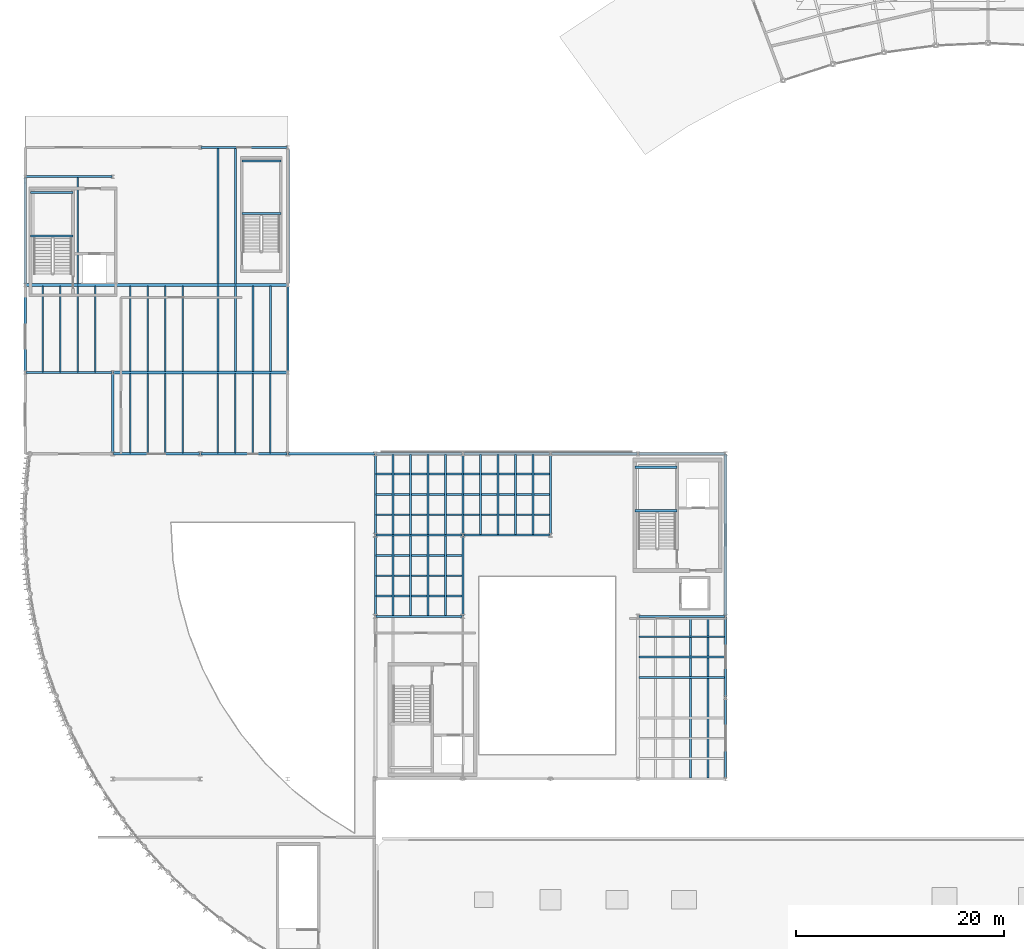
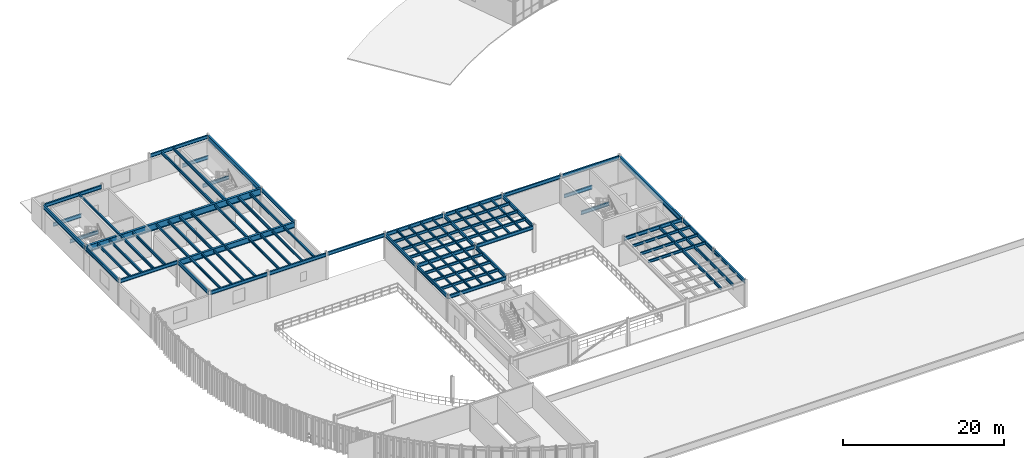
# One storey, part 21 of 54: 84 beams.
"""IFC4 building model written with IfcOpenShell, lengths in metres."""

from ifc_helpers import new_model, si_unit, direction, frame, origin, origin_2d, place, context, subcontext, project, spatial, i_section, extrude, material, material_profile, profile_set, type_object, element, save


model = new_model("IFC4")

# Units and contexts
model_context = context("Model", 3, precision=1e-05, world=origin(), true_north=direction((0.0, 1.0)))
body_context = subcontext(model_context, "Body", "Model", "MODEL_VIEW")
ifc_project = project(units=[si_unit("LENGTHUNIT", "METRE"), si_unit("AREAUNIT", "SQUARE_METRE"), si_unit("VOLUMEUNIT", "CUBIC_METRE"), si_unit("PLANEANGLEUNIT", "RADIAN"), si_unit("MASSUNIT", "GRAM", prefix="KILO")], contexts=[model_context])

# Site, building, storey
site_placement = place(None, origin())
site = spatial("IfcSite", under=ifc_project, at=site_placement, CompositionType="ELEMENT")
building_placement = place(site_placement, origin())
building = spatial("IfcBuilding", under=site, at=building_placement, Name="Selat Folded Stagehouse", CompositionType="ELEMENT")
storey_placement = place(building_placement, frame((0.0, 0.0, 15.0)))
storey = spatial("IfcBuildingStorey", under=building, at=storey_placement, Name="L03", CompositionType="ELEMENT", Elevation=15.0)

# Beams
ifc_material_1 = material(Name="Steel S355", Category="steel")
ifc_material_profile_1 = material_profile(ifc_material_1, i_section(OverallWidth=0.210693359375, OverallDepth=0.53955078125, WebThickness=0.01171875, FlangeThickness=0.018798828125, FilletRadius=0.0126953125, at=origin_2d()), Name="UKB 533x210x109")
ifc_profile_set_1 = profile_set([ifc_material_profile_1], Name="Steel S355")
beam_type_1 = type_object("IfcBeamType", Name="BM-GIRD-533x210x109", PredefinedType="BEAM", material=ifc_profile_set_1)
beam_1_placement = place(storey_placement, frame((0.0, 62.47705078125, 3.710205078125), z_axis=(0.0, 1.0, 0.0), x_axis=(-1.0, 0.0, 0.0)))
element("IfcBeam", 1, at=beam_1_placement, inside=storey, type_object=beam_type_1, Name="L03 primary y-girder 1289", PredefinedType="BEAM", context=body_context, shape_type="SweptSolid", body=[
    extrude(i_section(OverallWidth=0.210693359375, OverallDepth=0.53955078125, WebThickness=0.01171875, FlangeThickness=0.018798828125, FilletRadius=0.0126953125, at=origin_2d()), origin(), (0.0, 0.0, 1.0), 8.245849609375),
])
beam_2_placement = place(storey_placement, frame((8.39990234375, 54.679931640625, 3.690185546875), z_axis=(0.0, 1.0, 0.0), x_axis=(-1.0, 0.0, 0.0)))
element("IfcBeam", 2, at=beam_2_placement, inside=storey, type_object=beam_type_1, Name="L03 primary y-girder 1291", PredefinedType="BEAM", context=body_context, shape_type="SweptSolid", body=[
    extrude(i_section(OverallWidth=0.210693359375, OverallDepth=0.53955078125, WebThickness=0.01171875, FlangeThickness=0.018798828125, FilletRadius=0.0126953125, at=origin_2d()), origin(), (0.0, 0.0, 1.0), 7.64306640625),
])
beam_3_placement = place(storey_placement, frame((25.199951171875, 62.47705078125, 3.710205078125), z_axis=(0.0, 1.0, 0.0), x_axis=(-1.0, 0.0, 0.0)))
element("IfcBeam", 3, at=beam_3_placement, inside=storey, type_object=beam_type_1, Name="L03 primary y-girder 1292", PredefinedType="BEAM", context=body_context, shape_type="SweptSolid", body=[
    extrude(i_section(OverallWidth=0.210693359375, OverallDepth=0.53955078125, WebThickness=0.01171875, FlangeThickness=0.018798828125, FilletRadius=0.0126953125, at=origin_2d()), origin(), (0.0, 0.0, 1.0), 8.245849609375),
])
beam_4_placement = place(storey_placement, frame((33.60009765625, 39.080078125, 3.730224609375), z_axis=(0.0, 1.0, 0.0), x_axis=(-1.0, 0.0, 0.0)))
element("IfcBeam", 4, at=beam_4_placement, inside=storey, type_object=beam_type_1, Name="L03 primary y-girder 1295", PredefinedType="BEAM", context=body_context, shape_type="SweptSolid", body=[
    extrude(i_section(OverallWidth=0.210693359375, OverallDepth=0.53955078125, WebThickness=0.01171875, FlangeThickness=0.018798828125, FilletRadius=0.0126953125, at=origin_2d()), origin(), (0.0, 0.0, 1.0), 7.639892578125),
])
beam_5_placement = place(storey_placement, frame((33.60009765625, 46.8798828125, 3.730224609375), z_axis=(0.0, 1.0, 0.0), x_axis=(-1.0, 0.0, 0.0)))
element("IfcBeam", 5, at=beam_5_placement, inside=storey, type_object=beam_type_1, Name="L03 primary y-girder 1296", PredefinedType="BEAM", context=body_context, shape_type="SweptSolid", body=[
    extrude(i_section(OverallWidth=0.210693359375, OverallDepth=0.53955078125, WebThickness=0.01171875, FlangeThickness=0.018798828125, FilletRadius=0.0126953125, at=origin_2d()), origin(), (0.0, 0.0, 1.0), 7.64013671875),
])
beam_6_placement = place(storey_placement, frame((42.0, 39.080078125, 3.730224609375), z_axis=(0.0, 1.0, 0.0), x_axis=(-1.0, 0.0, 0.0)))
element("IfcBeam", 6, at=beam_6_placement, inside=storey, type_object=beam_type_1, Name="L03 primary y-girder 1297", PredefinedType="BEAM", context=body_context, shape_type="SweptSolid", body=[
    extrude(i_section(OverallWidth=0.210693359375, OverallDepth=0.53955078125, WebThickness=0.01171875, FlangeThickness=0.018798828125, FilletRadius=0.0126953125, at=origin_2d()), origin(), (0.0, 0.0, 1.0), 7.639892578125),
])
for number, where, z_axis, x_axis, name in (
    (7, (42.0, 46.8798828125, 3.730224609375), (0.0, 1.0, 0.0), (-1.0, 0.0, 0.0), "L03 primary y-girder 1298"),
    (8, (50.39990234375, 46.8798828125, 3.730224609375), (0.0, 1.0, 0.0), (-1.0, 0.0, 0.0), "L03 primary y-girder 1299"),
    (9, (67.199951171875, 23.47998046875, 3.730224609375), (0.0, 1.0, 0.0), (-1.0, 0.0, 0.0), "L03 primary y-girder 1301"),
):
    element("IfcBeam", number, at=place(storey_placement, frame(where, z_axis=z_axis, x_axis=x_axis)), inside=storey, type_object=beam_type_1, Name=name, PredefinedType="BEAM", context=body_context, shape_type="SweptSolid", body=[
        extrude(i_section(OverallWidth=0.210693359375, OverallDepth=0.53955078125, WebThickness=0.01171875, FlangeThickness=0.018798828125, FilletRadius=0.0126953125, at=origin_2d()), origin(), (0.0, 0.0, 1.0), 7.64013671875),
    ])
beam_7_placement = place(storey_placement, frame((67.199951171875, 31.280029296875, 3.730224609375), z_axis=(0.0, 1.0, 0.0), x_axis=(-1.0, 0.0, 0.0)))
element("IfcBeam", 10, at=beam_7_placement, inside=storey, type_object=beam_type_1, Name="L03 primary y-girder 1302", PredefinedType="BEAM", context=body_context, shape_type="SweptSolid", body=[
    extrude(i_section(OverallWidth=0.210693359375, OverallDepth=0.53955078125, WebThickness=0.01171875, FlangeThickness=0.018798828125, FilletRadius=0.0126953125, at=origin_2d()), origin(), (0.0, 0.0, 1.0), 7.639892578125),
])
ifc_material_profile_2 = material_profile(ifc_material_1, i_section(OverallWidth=0.209228515625, OverallDepth=0.533203125, WebThickness=0.010009765625, FlangeThickness=0.015625, FilletRadius=0.0126953125, at=origin_2d()), Name="UKB 533x210x92")
ifc_profile_set_2 = profile_set([ifc_material_profile_2], Name="Steel S355")
beam_type_2 = type_object("IfcBeamType", Name="BM-GIRD-533x210x92", PredefinedType="BEAM", material=ifc_profile_set_2)
beam_8_placement = place(storey_placement, frame((33.679931640625, 39.0, 3.7333984375), z_axis=(1.0, 0.0, 0.0), x_axis=(0.0, 1.0, 0.0)))
element("IfcBeam", 11, at=beam_8_placement, inside=storey, type_object=beam_type_2, Name="L03 primary x-girder 1273", PredefinedType="BEAM", context=body_context, shape_type="SweptSolid", body=[
    extrude(i_section(OverallWidth=0.209228515625, OverallDepth=0.533203125, WebThickness=0.010009765625, FlangeThickness=0.015625, FilletRadius=0.0126953125, at=origin_2d()), origin(), (0.0, 0.0, 1.0), 8.239990234375),
])
beam_9_placement = place(storey_placement, frame((58.8798828125, 39.0, 3.7333984375), z_axis=(1.0, 0.0, 0.0), x_axis=(0.0, 1.0, 0.0)))
element("IfcBeam", 12, at=beam_9_placement, inside=storey, type_object=beam_type_2, Name="L03 primary x-girder 1274", PredefinedType="BEAM", context=body_context, shape_type="SweptSolid", body=[
    extrude(i_section(OverallWidth=0.209228515625, OverallDepth=0.533203125, WebThickness=0.010009765625, FlangeThickness=0.015625, FilletRadius=0.0126953125, at=origin_2d()), origin(), (0.0, 0.0, 1.0), 8.240234375),
])
for number, where, z_axis, x_axis, name in (
    (13, (33.679931640625, 46.800048828125, 3.7333984375), (1.0, 0.0, 0.0), (0.0, 1.0, 0.0), "L03 primary x-girder 1275"),
    (14, (42.080078125, 46.800048828125, 3.7333984375), (1.0, 0.0, 0.0), (0.0, 1.0, 0.0), "L03 primary x-girder 1276"),
    (15, (8.47998046875, 54.60009765625, 3.693603515625), (1.0, 0.0, 0.0), (0.0, 1.0, 0.0), "L03 primary x-girder 1277"),
):
    element("IfcBeam", number, at=place(storey_placement, frame(where, z_axis=z_axis, x_axis=x_axis)), inside=storey, type_object=beam_type_2, Name=name, PredefinedType="BEAM", context=body_context, shape_type="SweptSolid", body=[
        extrude(i_section(OverallWidth=0.209228515625, OverallDepth=0.533203125, WebThickness=0.010009765625, FlangeThickness=0.015625, FilletRadius=0.0126953125, at=origin_2d()), origin(), (0.0, 0.0, 1.0), 8.239990234375),
    ])
beam_10_placement = place(storey_placement, frame((16.8798828125, 54.60009765625, 3.693603515625), z_axis=(1.0, 0.0, 0.0), x_axis=(0.0, 1.0, 0.0)))
element("IfcBeam", 16, at=beam_10_placement, inside=storey, type_object=beam_type_2, Name="L03 primary x-girder 1278", PredefinedType="BEAM", context=body_context, shape_type="SweptSolid", body=[
    extrude(i_section(OverallWidth=0.209228515625, OverallDepth=0.533203125, WebThickness=0.010009765625, FlangeThickness=0.015625, FilletRadius=0.0126953125, at=origin_2d()), origin(), (0.0, 0.0, 1.0), 8.240234375),
])
for number, where, z_axis, x_axis, name in (
    (17, (25.280029296875, 54.60009765625, 3.7333984375), (1.0, 0.0, 0.0), (0.0, 1.0, 0.0), "L03 primary x-girder 1279"),
    (18, (33.679931640625, 54.60009765625, 3.7333984375), (1.0, 0.0, 0.0), (0.0, 1.0, 0.0), "L03 primary x-girder 1280"),
    (19, (42.080078125, 54.60009765625, 3.7333984375), (1.0, 0.0, 0.0), (0.0, 1.0, 0.0), "L03 primary x-girder 1281"),
    (20, (50.47998046875, 54.60009765625, 3.7333984375), (1.0, 0.0, 0.0), (0.0, 1.0, 0.0), "L03 primary x-girder 1282"),
):
    element("IfcBeam", number, at=place(storey_placement, frame(where, z_axis=z_axis, x_axis=x_axis)), inside=storey, type_object=beam_type_2, Name=name, PredefinedType="BEAM", context=body_context, shape_type="SweptSolid", body=[
        extrude(i_section(OverallWidth=0.209228515625, OverallDepth=0.533203125, WebThickness=0.010009765625, FlangeThickness=0.015625, FilletRadius=0.0126953125, at=origin_2d()), origin(), (0.0, 0.0, 1.0), 8.239990234375),
    ])
beam_11_placement = place(storey_placement, frame((58.8798828125, 54.60009765625, 3.7333984375), z_axis=(1.0, 0.0, 0.0), x_axis=(0.0, 1.0, 0.0)))
element("IfcBeam", 21, at=beam_11_placement, inside=storey, type_object=beam_type_2, Name="L03 primary x-girder 1283", PredefinedType="BEAM", context=body_context, shape_type="SweptSolid", body=[
    extrude(i_section(OverallWidth=0.209228515625, OverallDepth=0.533203125, WebThickness=0.010009765625, FlangeThickness=0.015625, FilletRadius=0.0126953125, at=origin_2d()), origin(), (0.0, 0.0, 1.0), 8.240234375),
])
for number, where, z_axis, x_axis, name in (
    (22, (0.076904296875, 62.39990234375, 3.693603515625), (1.0, 0.0, 0.0), (0.0, 1.0, 0.0), "L03 primary x-girder 1284"),
    (23, (0.076904296875, 81.199951171875, 3.71337890625), (1.0, 0.0, 0.0), (0.0, 1.0, 0.0), "L03 primary x-girder 1287"),
    (24, (16.876953125, 84.0, 3.71337890625), (1.0, 0.0, 0.0), (0.0, 1.0, 0.0), "L03 primary x-girder 1288"),
):
    element("IfcBeam", number, at=place(storey_placement, frame(where, z_axis=z_axis, x_axis=x_axis)), inside=storey, type_object=beam_type_2, Name=name, PredefinedType="BEAM", context=body_context, shape_type="SweptSolid", body=[
        extrude(i_section(OverallWidth=0.209228515625, OverallDepth=0.533203125, WebThickness=0.010009765625, FlangeThickness=0.015625, FilletRadius=0.0126953125, at=origin_2d()), origin(), (0.0, 0.0, 1.0), 8.24609375),
    ])
for number, where, z_axis, x_axis, name in (
    (25, (58.5, 49.1298828125, 1.633544921875), (1.0, 0.0, 0.0), (0.0, 1.0, 0.0), "L03 ST-02 landing support beam 1"),
    (26, (58.5, 53.31005859375, 1.633544921875), (1.0, 0.0, 0.0), (0.0, 1.0, 0.0), "L03 ST-02 landing support beam 2"),
):
    element("IfcBeam", number, at=place(storey_placement, frame(where, z_axis=z_axis, x_axis=x_axis)), inside=storey, type_object=beam_type_2, Name=name, PredefinedType="BEAM", context=body_context, shape_type="SweptSolid", body=[
        extrude(i_section(OverallWidth=0.209228515625, OverallDepth=0.533203125, WebThickness=0.010009765625, FlangeThickness=0.015625, FilletRadius=0.0126953125, at=origin_2d()), origin(), (0.0, 0.0, 1.0), 4.050048828125),
    ])
for number, where, z_axis, x_axis, name in (
    (27, (0.5, 75.510009765625, 1.633544921875), (1.0, 0.0, 0.0), (0.0, 1.0, 0.0), "L03 ST-05 landing support beam 1"),
    (28, (0.5, 79.669921875, 1.633544921875), (1.0, 0.0, 0.0), (0.0, 1.0, 0.0), "L03 ST-05 landing support beam 2"),
):
    element("IfcBeam", number, at=place(storey_placement, frame(where, z_axis=z_axis, x_axis=x_axis)), inside=storey, type_object=beam_type_2, Name=name, PredefinedType="BEAM", context=body_context, shape_type="SweptSolid", body=[
        extrude(i_section(OverallWidth=0.209228515625, OverallDepth=0.533203125, WebThickness=0.010009765625, FlangeThickness=0.015625, FilletRadius=0.0126953125, at=origin_2d()), origin(), (0.0, 0.0, 1.0), 4.080078125),
    ])
for number, where, z_axis, x_axis, name in (
    (29, (20.780029296875, 77.64990234375, 1.633544921875), (1.0, 0.0, 0.0), (0.0, 1.0, 0.0), "L03 ST-07 landing support beam 1"),
    (30, (20.780029296875, 82.699951171875, 1.633544921875), (1.0, 0.0, 0.0), (0.0, 1.0, 0.0), "L03 ST-07 landing support beam 2"),
):
    element("IfcBeam", number, at=place(storey_placement, frame(where, z_axis=z_axis, x_axis=x_axis)), inside=storey, type_object=beam_type_2, Name=name, PredefinedType="BEAM", context=body_context, shape_type="SweptSolid", body=[
        extrude(i_section(OverallWidth=0.209228515625, OverallDepth=0.533203125, WebThickness=0.010009765625, FlangeThickness=0.015625, FilletRadius=0.0126953125, at=origin_2d()), origin(), (0.0, 0.0, 1.0), 3.739990234375),
    ])
ifc_material_profile_3 = material_profile(ifc_material_1, i_section(OverallWidth=0.230224609375, OverallDepth=0.6171875, WebThickness=0.01318359375, FlangeThickness=0.022216796875, FilletRadius=0.0126953125, at=origin_2d()), Name="UKB 610x229x140")
ifc_profile_set_3 = profile_set([ifc_material_profile_3], Name="Steel S355")
beam_type_3 = type_object("IfcBeamType", Name="BM-GIRD-610x229x140", PredefinedType="BEAM", material=ifc_profile_set_3)
beam_12_placement = place(storey_placement, frame((0.0, 70.876953125, 3.67138671875), z_axis=(0.0, 1.0, 0.0), x_axis=(-1.0, 0.0, 0.0)))
element("IfcBeam", 31, at=beam_12_placement, inside=storey, type_object=beam_type_3, Name="L03 primary y-girder 1290", PredefinedType="BEAM", context=body_context, shape_type="SweptSolid", body=[
    extrude(i_section(OverallWidth=0.230224609375, OverallDepth=0.6171875, WebThickness=0.01318359375, FlangeThickness=0.022216796875, FilletRadius=0.0126953125, at=origin_2d()), origin(), (0.0, 0.0, 1.0), 10.24609375),
])
ifc_material_profile_4 = material_profile(ifc_material_1, i_section(OverallWidth=0.26806640625, OverallDepth=0.769775390625, WebThickness=0.015625, FlangeThickness=0.025390625, FilletRadius=0.0166015625, at=origin_2d()), Name="UKB 762x267x197")
ifc_profile_set_4 = profile_set([ifc_material_profile_4], Name="Steel S355")
beam_type_4 = type_object("IfcBeamType", Name="BM-GIRD-762x267x197", PredefinedType="BEAM", material=ifc_profile_set_4)
beam_13_placement = place(storey_placement, frame((25.199951171875, 70.876953125, 3.59521484375), z_axis=(0.0, 1.0, 0.0), x_axis=(-1.0, 0.0, 0.0)))
element("IfcBeam", 32, at=beam_13_placement, inside=storey, type_object=beam_type_4, Name="L03 primary y-girder 1293", PredefinedType="BEAM", context=body_context, shape_type="SweptSolid", body=[
    extrude(i_section(OverallWidth=0.26806640625, OverallDepth=0.769775390625, WebThickness=0.015625, FlangeThickness=0.025390625, FilletRadius=0.0166015625, at=origin_2d()), origin(), (0.0, 0.0, 1.0), 13.046142578125),
])
beam_14_placement = place(storey_placement, frame((67.199951171875, 39.080078125, 3.614990234375), z_axis=(0.0, 1.0, 0.0), x_axis=(-1.0, 0.0, 0.0)))
element("IfcBeam", 33, at=beam_14_placement, inside=storey, type_object=beam_type_4, Name="L03 primary y-girder 1303", PredefinedType="BEAM", context=body_context, shape_type="SweptSolid", body=[
    extrude(i_section(OverallWidth=0.26806640625, OverallDepth=0.769775390625, WebThickness=0.015625, FlangeThickness=0.025390625, FilletRadius=0.0166015625, at=origin_2d()), origin(), (0.0, 0.0, 1.0), 15.43994140625),
])
ifc_material_profile_5 = material_profile(ifc_material_1, i_section(OverallWidth=0.293701171875, OverallDepth=0.850830078125, WebThickness=0.01611328125, FlangeThickness=0.02685546875, FilletRadius=0.017822265625, at=origin_2d()), Name="UKB 838x292x226")
ifc_profile_set_5 = profile_set([ifc_material_profile_5], Name="Steel S355")
beam_type_5 = type_object("IfcBeamType", Name="BM-LONG-838x292x226", PredefinedType="BEAM", material=ifc_profile_set_5)
beam_15_placement = place(storey_placement, frame((8.47705078125, 62.39990234375, 3.534423828125), z_axis=(1.0, 0.0, 0.0), x_axis=(0.0, 1.0, 0.0)))
element("IfcBeam", 34, at=beam_15_placement, inside=storey, type_object=beam_type_5, Name="L03 primary x-girder 1285", PredefinedType="BEAM", context=body_context, shape_type="SweptSolid", body=[
    extrude(i_section(OverallWidth=0.293701171875, OverallDepth=0.850830078125, WebThickness=0.01611328125, FlangeThickness=0.02685546875, FilletRadius=0.017822265625, at=origin_2d()), origin(), (0.0, 0.0, 1.0), 16.64599609375),
])
ifc_material_2 = material(Name="Steel S460", Category="steel")
ifc_material_profile_6 = material_profile(ifc_material_2, i_section(OverallWidth=0.302001953125, OverallDepth=1.008056640625, WebThickness=0.02099609375, FlangeThickness=0.033935546875, FilletRadius=0.030029296875, at=origin_2d()), Name="UKB 1016x305x349")
ifc_profile_set_6 = profile_set([ifc_material_profile_6], Name="Steel S460")
beam_type_6 = type_object("IfcBeamType", Name="BM-XFER-1016x305x349", PredefinedType="BEAM", material=ifc_profile_set_6)
beam_16_placement = place(storey_placement, frame((0.076904296875, 70.800048828125, 3.47607421875), z_axis=(1.0, 0.0, 0.0), x_axis=(0.0, 1.0, 0.0)))
element("IfcBeam", 35, at=beam_16_placement, inside=storey, type_object=beam_type_6, Name="L03 primary x-girder 1286", PredefinedType="BEAM", context=body_context, shape_type="SweptSolid", body=[
    extrude(i_section(OverallWidth=0.302001953125, OverallDepth=1.008056640625, WebThickness=0.02099609375, FlangeThickness=0.033935546875, FilletRadius=0.030029296875, at=origin_2d()), origin(), (0.0, 0.0, 1.0), 25.046142578125),
])
ifc_material_profile_7 = material_profile(ifc_material_1, i_section(OverallWidth=0.17138671875, OverallDepth=0.35498046875, WebThickness=0.00732421875, FlangeThickness=0.011474609375, FilletRadius=0.01025390625, at=origin_2d()), Name="UKB 356x171x51")
ifc_profile_set_7 = profile_set([ifc_material_profile_7], Name="Steel S355")
beam_type_7 = type_object("IfcBeamType", Name="JST-356x171x51", PredefinedType="JOIST", material=ifc_profile_set_7)
for number, where, z_axis, x_axis, name in (
    (36, (10.080078125, 54.67333984375, 3.782470703125), (0.0, 1.0, 0.0), (-1.0, 0.0, 0.0), "L03 secondary floor joist 1309"),
    (37, (11.760009765625, 54.67333984375, 3.782470703125), (0.0, 1.0, 0.0), (-1.0, 0.0, 0.0), "L03 secondary floor joist 1311"),
    (38, (13.43994140625, 54.67333984375, 3.782470703125), (0.0, 1.0, 0.0), (-1.0, 0.0, 0.0), "L03 secondary floor joist 1313"),
    (39, (15.1201171875, 54.67333984375, 3.782470703125), (0.0, 1.0, 0.0), (-1.0, 0.0, 0.0), "L03 secondary floor joist 1315"),
    (40, (18.47998046875, 54.67333984375, 3.782470703125), (0.0, 1.0, 0.0), (-1.0, 0.0, 0.0), "L03 secondary floor joist 1317"),
    (41, (20.159912109375, 54.67333984375, 3.782470703125), (0.0, 1.0, 0.0), (-1.0, 0.0, 0.0), "L03 secondary floor joist 1320"),
    (42, (21.840087890625, 54.67333984375, 3.782470703125), (0.0, 1.0, 0.0), (-1.0, 0.0, 0.0), "L03 secondary floor joist 1323"),
    (43, (23.52001953125, 54.67333984375, 3.782470703125), (0.0, 1.0, 0.0), (-1.0, 0.0, 0.0), "L03 secondary floor joist 1325"),
):
    element("IfcBeam", number, at=place(storey_placement, frame(where, z_axis=z_axis, x_axis=x_axis)), inside=storey, type_object=beam_type_7, Name=name, PredefinedType="JOIST", context=body_context, shape_type="SweptSolid", body=[
        extrude(i_section(OverallWidth=0.17138671875, OverallDepth=0.35498046875, WebThickness=0.00732421875, FlangeThickness=0.011474609375, FilletRadius=0.01025390625, at=origin_2d()), origin(), (0.0, 0.0, 1.0), 7.623779296875),
    ])
beam_17_placement = place(storey_placement, frame((35.280029296875, 39.0732421875, 3.822509765625), z_axis=(0.0, 1.0, 0.0), x_axis=(-1.0, 0.0, 0.0)))
element("IfcBeam", 44, at=beam_17_placement, inside=storey, type_object=beam_type_7, Name="L03 secondary floor joist 1328", PredefinedType="JOIST", context=body_context, shape_type="SweptSolid", body=[
    extrude(i_section(OverallWidth=0.17138671875, OverallDepth=0.35498046875, WebThickness=0.00732421875, FlangeThickness=0.011474609375, FilletRadius=0.01025390625, at=origin_2d()), origin(), (0.0, 0.0, 1.0), 7.653564453125),
])
beam_18_placement = place(storey_placement, frame((35.280029296875, 46.873291015625, 3.822509765625), z_axis=(0.0, 1.0, 0.0), x_axis=(-1.0, 0.0, 0.0)))
element("IfcBeam", 45, at=beam_18_placement, inside=storey, type_object=beam_type_7, Name="L03 secondary floor joist 1329", PredefinedType="JOIST", context=body_context, shape_type="SweptSolid", body=[
    extrude(i_section(OverallWidth=0.17138671875, OverallDepth=0.35498046875, WebThickness=0.00732421875, FlangeThickness=0.011474609375, FilletRadius=0.01025390625, at=origin_2d()), origin(), (0.0, 0.0, 1.0), 7.6533203125),
])
beam_19_placement = place(storey_placement, frame((36.9599609375, 39.0732421875, 3.822509765625), z_axis=(0.0, 1.0, 0.0), x_axis=(-1.0, 0.0, 0.0)))
element("IfcBeam", 46, at=beam_19_placement, inside=storey, type_object=beam_type_7, Name="L03 secondary floor joist 1330", PredefinedType="JOIST", context=body_context, shape_type="SweptSolid", body=[
    extrude(i_section(OverallWidth=0.17138671875, OverallDepth=0.35498046875, WebThickness=0.00732421875, FlangeThickness=0.011474609375, FilletRadius=0.01025390625, at=origin_2d()), origin(), (0.0, 0.0, 1.0), 7.653564453125),
])
beam_20_placement = place(storey_placement, frame((36.9599609375, 46.873291015625, 3.822509765625), z_axis=(0.0, 1.0, 0.0), x_axis=(-1.0, 0.0, 0.0)))
element("IfcBeam", 47, at=beam_20_placement, inside=storey, type_object=beam_type_7, Name="L03 secondary floor joist 1331", PredefinedType="JOIST", context=body_context, shape_type="SweptSolid", body=[
    extrude(i_section(OverallWidth=0.17138671875, OverallDepth=0.35498046875, WebThickness=0.00732421875, FlangeThickness=0.011474609375, FilletRadius=0.01025390625, at=origin_2d()), origin(), (0.0, 0.0, 1.0), 7.6533203125),
])
beam_21_placement = place(storey_placement, frame((38.639892578125, 39.0732421875, 3.822509765625), z_axis=(0.0, 1.0, 0.0), x_axis=(-1.0, 0.0, 0.0)))
element("IfcBeam", 48, at=beam_21_placement, inside=storey, type_object=beam_type_7, Name="L03 secondary floor joist 1332", PredefinedType="JOIST", context=body_context, shape_type="SweptSolid", body=[
    extrude(i_section(OverallWidth=0.17138671875, OverallDepth=0.35498046875, WebThickness=0.00732421875, FlangeThickness=0.011474609375, FilletRadius=0.01025390625, at=origin_2d()), origin(), (0.0, 0.0, 1.0), 7.653564453125),
])
beam_22_placement = place(storey_placement, frame((38.639892578125, 46.873291015625, 3.822509765625), z_axis=(0.0, 1.0, 0.0), x_axis=(-1.0, 0.0, 0.0)))
element("IfcBeam", 49, at=beam_22_placement, inside=storey, type_object=beam_type_7, Name="L03 secondary floor joist 1333", PredefinedType="JOIST", context=body_context, shape_type="SweptSolid", body=[
    extrude(i_section(OverallWidth=0.17138671875, OverallDepth=0.35498046875, WebThickness=0.00732421875, FlangeThickness=0.011474609375, FilletRadius=0.01025390625, at=origin_2d()), origin(), (0.0, 0.0, 1.0), 7.6533203125),
])
beam_23_placement = place(storey_placement, frame((40.320068359375, 39.0732421875, 3.822509765625), z_axis=(0.0, 1.0, 0.0), x_axis=(-1.0, 0.0, 0.0)))
element("IfcBeam", 50, at=beam_23_placement, inside=storey, type_object=beam_type_7, Name="L03 secondary floor joist 1334", PredefinedType="JOIST", context=body_context, shape_type="SweptSolid", body=[
    extrude(i_section(OverallWidth=0.17138671875, OverallDepth=0.35498046875, WebThickness=0.00732421875, FlangeThickness=0.011474609375, FilletRadius=0.01025390625, at=origin_2d()), origin(), (0.0, 0.0, 1.0), 7.653564453125),
])
for number, where, z_axis, x_axis, name in (
    (51, (40.320068359375, 46.873291015625, 3.822509765625), (0.0, 1.0, 0.0), (-1.0, 0.0, 0.0), "L03 secondary floor joist 1335"),
    (52, (43.679931640625, 46.873291015625, 3.822509765625), (0.0, 1.0, 0.0), (-1.0, 0.0, 0.0), "L03 secondary floor joist 1336"),
    (53, (45.360107421875, 46.873291015625, 3.822509765625), (0.0, 1.0, 0.0), (-1.0, 0.0, 0.0), "L03 secondary floor joist 1337"),
    (54, (47.0400390625, 46.873291015625, 3.822509765625), (0.0, 1.0, 0.0), (-1.0, 0.0, 0.0), "L03 secondary floor joist 1338"),
    (55, (48.719970703125, 46.873291015625, 3.822509765625), (0.0, 1.0, 0.0), (-1.0, 0.0, 0.0), "L03 secondary floor joist 1339"),
):
    element("IfcBeam", number, at=place(storey_placement, frame(where, z_axis=z_axis, x_axis=x_axis)), inside=storey, type_object=beam_type_7, Name=name, PredefinedType="JOIST", context=body_context, shape_type="SweptSolid", body=[
        extrude(i_section(OverallWidth=0.17138671875, OverallDepth=0.35498046875, WebThickness=0.00732421875, FlangeThickness=0.011474609375, FilletRadius=0.01025390625, at=origin_2d()), origin(), (0.0, 0.0, 1.0), 7.6533203125),
    ])
ifc_material_profile_8 = material_profile(ifc_material_1, i_section(OverallWidth=0.177978515625, OverallDepth=0.406494140625, WebThickness=0.0078125, FlangeThickness=0.0126953125, FilletRadius=0.01025390625, at=origin_2d()), Name="UKB 406x178x60")
ifc_profile_set_8 = profile_set([ifc_material_profile_8], Name="Steel S355")
beam_type_8 = type_object("IfcBeamType", Name="JST-406x178x60", PredefinedType="JOIST", material=ifc_profile_set_8)
for number, where, z_axis, x_axis, name in (
    (56, (1.679931640625, 62.473388671875, 3.7568359375), (0.0, 1.0, 0.0), (-1.0, 0.0, 0.0), "L03 secondary floor joist 1304"),
    (57, (3.360107421875, 62.473388671875, 3.7568359375), (0.0, 1.0, 0.0), (-1.0, 0.0, 0.0), "L03 secondary floor joist 1305"),
    (58, (5.0400390625, 62.473388671875, 3.7568359375), (0.0, 1.0, 0.0), (-1.0, 0.0, 0.0), "L03 secondary floor joist 1306"),
):
    element("IfcBeam", number, at=place(storey_placement, frame(where, z_axis=z_axis, x_axis=x_axis)), inside=storey, type_object=beam_type_8, Name=name, PredefinedType="JOIST", context=body_context, shape_type="SweptSolid", body=[
        extrude(i_section(OverallWidth=0.177978515625, OverallDepth=0.406494140625, WebThickness=0.0078125, FlangeThickness=0.0126953125, FilletRadius=0.01025390625, at=origin_2d()), origin(), (0.0, 0.0, 1.0), 8.220947265625),
    ])
beam_24_placement = place(storey_placement, frame((5.0400390625, 70.90576171875, 3.77685546875), z_axis=(0.0, 1.0, 0.0), x_axis=(-1.0, 0.0, 0.0)))
element("IfcBeam", 59, at=beam_24_placement, inside=storey, type_object=beam_type_8, Name="L03 secondary floor joist 1307", PredefinedType="JOIST", context=body_context, shape_type="SweptSolid", body=[
    extrude(i_section(OverallWidth=0.177978515625, OverallDepth=0.406494140625, WebThickness=0.0078125, FlangeThickness=0.0126953125, FilletRadius=0.01025390625, at=origin_2d()), origin(), (0.0, 0.0, 1.0), 10.220947265625),
])
beam_25_placement = place(storey_placement, frame((6.719970703125, 62.473388671875, 3.7568359375), z_axis=(0.0, 1.0, 0.0), x_axis=(-1.0, 0.0, 0.0)))
element("IfcBeam", 60, at=beam_25_placement, inside=storey, type_object=beam_type_8, Name="L03 secondary floor joist 1308", PredefinedType="JOIST", context=body_context, shape_type="SweptSolid", body=[
    extrude(i_section(OverallWidth=0.177978515625, OverallDepth=0.406494140625, WebThickness=0.0078125, FlangeThickness=0.0126953125, FilletRadius=0.01025390625, at=origin_2d()), origin(), (0.0, 0.0, 1.0), 8.220947265625),
])
for number, where, z_axis, x_axis, name in (
    (61, (10.080078125, 62.502685546875, 3.7568359375), (0.0, 1.0, 0.0), (-1.0, 0.0, 0.0), "L03 secondary floor joist 1310"),
    (62, (11.760009765625, 62.502685546875, 3.7568359375), (0.0, 1.0, 0.0), (-1.0, 0.0, 0.0), "L03 secondary floor joist 1312"),
    (63, (13.43994140625, 62.502685546875, 3.7568359375), (0.0, 1.0, 0.0), (-1.0, 0.0, 0.0), "L03 secondary floor joist 1314"),
    (64, (15.1201171875, 62.502685546875, 3.7568359375), (0.0, 1.0, 0.0), (-1.0, 0.0, 0.0), "L03 secondary floor joist 1316"),
    (65, (18.47998046875, 62.502685546875, 3.7568359375), (0.0, 1.0, 0.0), (-1.0, 0.0, 0.0), "L03 secondary floor joist 1318"),
    (66, (20.159912109375, 62.502685546875, 3.7568359375), (0.0, 1.0, 0.0), (-1.0, 0.0, 0.0), "L03 secondary floor joist 1321"),
    (67, (21.840087890625, 62.502685546875, 3.7568359375), (0.0, 1.0, 0.0), (-1.0, 0.0, 0.0), "L03 secondary floor joist 1324"),
    (68, (23.52001953125, 62.502685546875, 3.7568359375), (0.0, 1.0, 0.0), (-1.0, 0.0, 0.0), "L03 secondary floor joist 1326"),
):
    element("IfcBeam", number, at=place(storey_placement, frame(where, z_axis=z_axis, x_axis=x_axis)), inside=storey, type_object=beam_type_8, Name=name, PredefinedType="JOIST", context=body_context, shape_type="SweptSolid", body=[
        extrude(i_section(OverallWidth=0.177978515625, OverallDepth=0.406494140625, WebThickness=0.0078125, FlangeThickness=0.0126953125, FilletRadius=0.01025390625, at=origin_2d()), origin(), (0.0, 0.0, 1.0), 8.191650390625),
    ])
for number, where, z_axis, x_axis, name in (
    (69, (58.893798828125, 33.14990234375, 3.796875), (1.0, 0.0, 0.0), (0.0, 1.0, 0.0), "L03 secondary x-joist 1347"),
    (70, (58.893798828125, 35.10009765625, 3.796875), (1.0, 0.0, 0.0), (0.0, 1.0, 0.0), "L03 secondary x-joist 1348"),
    (71, (58.893798828125, 37.050048828125, 3.796875), (1.0, 0.0, 0.0), (0.0, 1.0, 0.0), "L03 secondary x-joist 1349"),
):
    element("IfcBeam", number, at=place(storey_placement, frame(where, z_axis=z_axis, x_axis=x_axis)), inside=storey, type_object=beam_type_8, Name=name, PredefinedType="JOIST", context=body_context, shape_type="SweptSolid", body=[
        extrude(i_section(OverallWidth=0.177978515625, OverallDepth=0.406494140625, WebThickness=0.0078125, FlangeThickness=0.0126953125, FilletRadius=0.01025390625, at=origin_2d()), origin(), (0.0, 0.0, 1.0), 8.232421875),
    ])
for number, where, z_axis, x_axis, name in (
    (72, (33.673828125, 40.949951171875, 3.796875), (1.0, 0.0, 0.0), (0.0, 1.0, 0.0), "L03 secondary x-joist 1350"),
    (73, (33.673828125, 42.89990234375, 3.796875), (1.0, 0.0, 0.0), (0.0, 1.0, 0.0), "L03 secondary x-joist 1351"),
    (74, (33.673828125, 44.85009765625, 3.796875), (1.0, 0.0, 0.0), (0.0, 1.0, 0.0), "L03 secondary x-joist 1352"),
    (75, (33.673828125, 48.75, 3.796875), (1.0, 0.0, 0.0), (0.0, 1.0, 0.0), "L03 secondary x-joist 1353"),
    (76, (42.07373046875, 48.75, 3.796875), (1.0, 0.0, 0.0), (0.0, 1.0, 0.0), "L03 secondary x-joist 1354"),
    (77, (33.673828125, 50.699951171875, 3.796875), (1.0, 0.0, 0.0), (0.0, 1.0, 0.0), "L03 secondary x-joist 1355"),
    (78, (42.07373046875, 50.699951171875, 3.796875), (1.0, 0.0, 0.0), (0.0, 1.0, 0.0), "L03 secondary x-joist 1356"),
    (79, (33.673828125, 52.64990234375, 3.796875), (1.0, 0.0, 0.0), (0.0, 1.0, 0.0), "L03 secondary x-joist 1357"),
    (80, (42.07373046875, 52.64990234375, 3.796875), (1.0, 0.0, 0.0), (0.0, 1.0, 0.0), "L03 secondary x-joist 1358"),
):
    element("IfcBeam", number, at=place(storey_placement, frame(where, z_axis=z_axis, x_axis=x_axis)), inside=storey, type_object=beam_type_8, Name=name, PredefinedType="JOIST", context=body_context, shape_type="SweptSolid", body=[
        extrude(i_section(OverallWidth=0.177978515625, OverallDepth=0.406494140625, WebThickness=0.0078125, FlangeThickness=0.0126953125, FilletRadius=0.01025390625, at=origin_2d()), origin(), (0.0, 0.0, 1.0), 8.25244140625),
    ])
ifc_material_profile_9 = material_profile(ifc_material_1, i_section(OverallWidth=0.18994140625, OverallDepth=0.453369140625, WebThickness=0.008544921875, FlangeThickness=0.0126953125, FilletRadius=0.01025390625, at=origin_2d()), Name="UKB 457x191x67")
ifc_profile_set_9 = profile_set([ifc_material_profile_9], Name="Steel S355")
beam_type_9 = type_object("IfcBeamType", Name="JST-457x191x67", PredefinedType="JOIST", material=ifc_profile_set_9)
for number, where, z_axis, x_axis, name in (
    (81, (18.47998046875, 70.90576171875, 3.75341796875), (0.0, 1.0, 0.0), (-1.0, 0.0, 0.0), "L03 secondary floor joist 1319"),
    (82, (20.159912109375, 70.90576171875, 3.75341796875), (0.0, 1.0, 0.0), (-1.0, 0.0, 0.0), "L03 secondary floor joist 1322"),
):
    element("IfcBeam", number, at=place(storey_placement, frame(where, z_axis=z_axis, x_axis=x_axis)), inside=storey, type_object=beam_type_9, Name=name, PredefinedType="JOIST", context=body_context, shape_type="SweptSolid", body=[
        extrude(i_section(OverallWidth=0.18994140625, OverallDepth=0.453369140625, WebThickness=0.008544921875, FlangeThickness=0.0126953125, FilletRadius=0.01025390625, at=origin_2d()), origin(), (0.0, 0.0, 1.0), 13.02099609375),
    ])
for number, where, z_axis, x_axis, name in (
    (83, (63.840087890625, 23.473388671875, 3.773193359375), (0.0, 1.0, 0.0), (-1.0, 0.0, 0.0), "L03 secondary floor joist 1342"),
    (84, (65.52001953125, 23.473388671875, 3.773193359375), (0.0, 1.0, 0.0), (-1.0, 0.0, 0.0), "L03 secondary floor joist 1343"),
):
    element("IfcBeam", number, at=place(storey_placement, frame(where, z_axis=z_axis, x_axis=x_axis)), inside=storey, type_object=beam_type_9, Name=name, PredefinedType="JOIST", context=body_context, shape_type="SweptSolid", body=[
        extrude(i_section(OverallWidth=0.18994140625, OverallDepth=0.453369140625, WebThickness=0.008544921875, FlangeThickness=0.0126953125, FilletRadius=0.01025390625, at=origin_2d()), origin(), (0.0, 0.0, 1.0), 15.453369140625),
    ])

save(model, "model.ifc")
